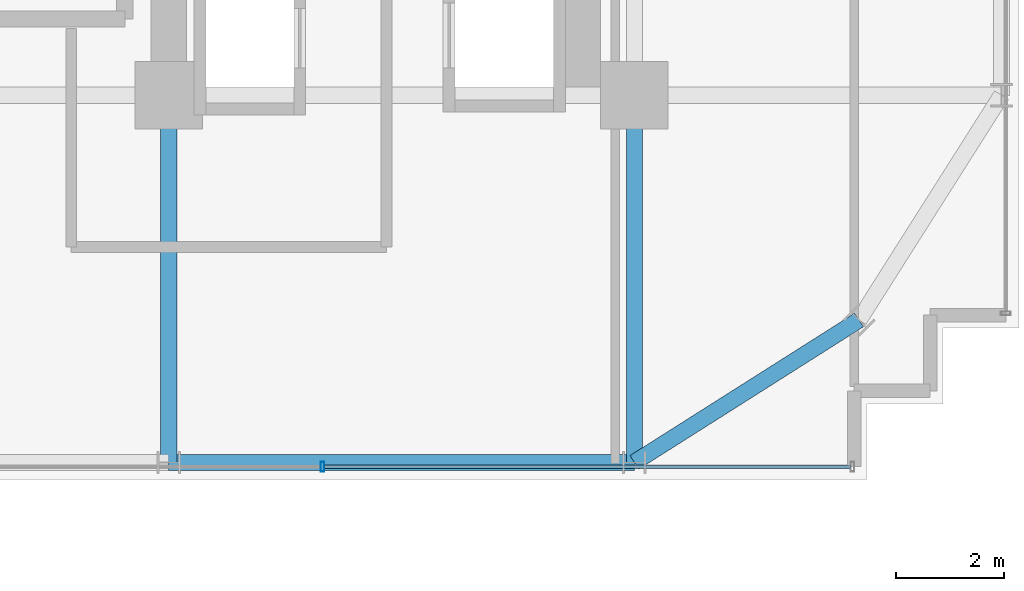
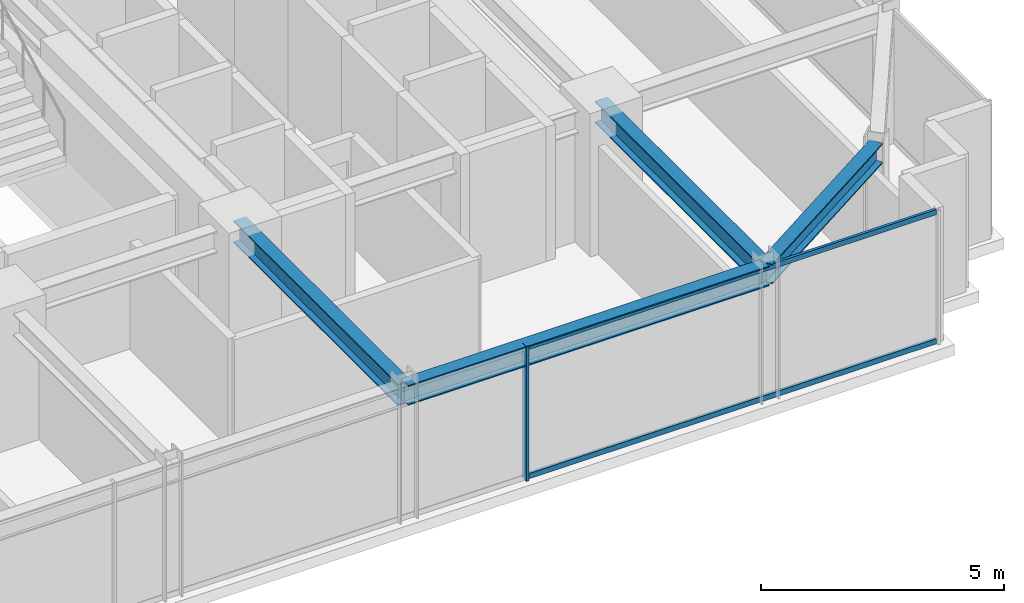
# One storey, part 11 of 32: 4 beams, 3 members, 1 element without a shape of its own.
"""IFC4 building model written with IfcOpenShell, lengths in metres."""

from ifc_helpers import new_model, si_unit, direction, frame, origin, origin_2d, place, context, subcontext, project, spatial, hollow_rectangle, i_section, extrude, source, transform, mapped, material, material_profile, profile_set, type_object, element, aggregate, save


model = new_model("IFC4")

# Units and contexts
model_context = context("Model", 3, precision=1e-05, world=origin(), true_north=direction((0.0, 1.0)))
body_context = subcontext(model_context, "Body", "Model", "MODEL_VIEW")
ifc_project = project(units=[si_unit("LENGTHUNIT", "METRE"), si_unit("AREAUNIT", "SQUARE_METRE"), si_unit("VOLUMEUNIT", "CUBIC_METRE"), si_unit("PLANEANGLEUNIT", "RADIAN"), si_unit("MASSUNIT", "GRAM", prefix="KILO")], contexts=[model_context])

# Site, building, storey
site_placement = place(None, origin())
site = spatial("IfcSite", under=ifc_project, at=site_placement, CompositionType="ELEMENT")
building_placement = place(site_placement, origin())
building = spatial("IfcBuilding", under=site, at=building_placement, Name="Nahalor Promenade Grand Hotel", CompositionType="ELEMENT")
storey_placement = place(building_placement, frame((0.0, 0.0, 110.199951171875)))
storey = spatial("IfcBuildingStorey", under=building, at=storey_placement, Name="L27", CompositionType="ELEMENT", Elevation=110.199951171875)

# Beams
ifc_material_1 = material(Name="Steel S355JR", Category="steel")
ifc_material_profile_1 = material_profile(ifc_material_1, i_section(OverallWidth=0.3, OverallDepth=0.5, WebThickness=0.0145, FlangeThickness=0.028, at=origin_2d()), Name="HEB 500")
ifc_profile_set_1 = profile_set([ifc_material_profile_1], Name="Steel S355JR")
beam_type_1 = type_object("IfcBeamType", Name="Beam-Spandrel-HEB500", PredefinedType="SPANDREL", material=ifc_profile_set_1)
shared_shape_1 = source(origin(), body_context, "Body", "SweptSolid", [
    extrude(i_section(OverallWidth=0.3, OverallDepth=0.5, WebThickness=0.0145, FlangeThickness=0.028, at=origin_2d()), origin(), (0.0, 0.0, 1.0), 8.60009765625),
])
beam_1_placement = place(storey_placement, frame((8.39990234375, -23.780029296875, 3.130126953125), z_axis=(1.0, 0.0, 0.0), x_axis=(0.0, 1.0, 0.0)))
element("IfcBeam", 1, at=beam_1_placement, inside=storey, type_object=beam_type_1, Name="BM-L27-SP-S-4", PredefinedType="SPANDREL", context=body_context, shape_type="MappedRepresentation", body=[
    mapped(shared_shape_1, transform((0.0, 0.0, 0.0), scale=1.0)),
])
shared_shape_2 = source(origin(), body_context, "Body", "SweptSolid", [
    extrude(i_section(OverallWidth=0.3, OverallDepth=0.5, WebThickness=0.0145, FlangeThickness=0.028, at=origin_2d()), origin(), (0.0, 0.0, 1.0), 4.9130859375),
])
beam_2_placement = place(storey_placement, frame((17.0, -23.780029296875, 3.130126953125), z_axis=(0.844648325505, 0.535321591403, 0.0), x_axis=(-0.535321591403, 0.844648325505, 0.0)))
element("IfcBeam", 2, at=beam_2_placement, inside=storey, type_object=beam_type_1, Name="BM-L27-SPC-SE-1", PredefinedType="SPANDREL", context=body_context, shape_type="MappedRepresentation", body=[
    mapped(shared_shape_2, transform((0.0, 0.0, 0.0), scale=1.0)),
])
ifc_material_profile_2 = material_profile(ifc_material_1, i_section(OverallWidth=0.3, OverallDepth=0.55, WebThickness=0.015, FlangeThickness=0.029, at=origin_2d()), Name="HEB 550")
ifc_profile_set_2 = profile_set([ifc_material_profile_2], Name="Steel S355JR")
beam_type_2 = type_object("IfcBeamType", Name="Beam-Girder-HEB550", PredefinedType="BEAM", material=ifc_profile_set_2)
shared_shape_3 = source(origin(), body_context, "Body", "SweptSolid", [
    extrude(i_section(OverallWidth=0.3, OverallDepth=0.55, WebThickness=0.015, FlangeThickness=0.029, at=origin_2d()), origin(), (0.0, 0.0, 1.0), 6.780029296875),
])
for number, where, z_axis, x_axis, name in (
    (3, (8.39990234375, -23.780029296875, 3.10498046875), (0.0, 1.0, 0.0), (-1.0, 0.0, 0.0), "BM-L27-GY-4-0"),
    (4, (17.0, -23.780029296875, 3.10498046875), (0.0, 1.0, 0.0), (-1.0, 0.0, 0.0), "BM-L27-GY-5-0"),
):
    element("IfcBeam", number, at=place(storey_placement, frame(where, z_axis=z_axis, x_axis=x_axis)), inside=storey, type_object=beam_type_2, Name=name, PredefinedType="BEAM", context=body_context, shape_type="MappedRepresentation", body=[
        mapped(shared_shape_3, transform((0.0, 0.0, 0.0), scale=1.0)),
    ])

# Curtain wall, members
ifc_material_2 = material(Name="Anodised Bronze Aluminium EN AW-6063 T6", Category="aluminium")
curtain_wall_type = type_object("IfcCurtainWallType", Name="CW2 Typical Hotel Flush Bronze Unitised Curtain Wall", PredefinedType="USERDEFINED", material=ifc_material_2)
curtain_wall_placement = place(storey_placement, origin())
curtain_wall = element("IfcCurtainWall", 5, at=curtain_wall_placement, inside=storey, type_object=curtain_wall_type, Name="L27 Curtain Wall CW-L27-S-3", ObjectType="UNITISED_CURTAIN_WALL", PredefinedType="USERDEFINED")
ifc_material_profile_3 = material_profile(ifc_material_2, hollow_rectangle(XDim=0.065, YDim=0.13, WallThickness=0.004, at=origin_2d()), Name="CWT 65x130x4")
ifc_profile_set_3 = profile_set([ifc_material_profile_3], Name="Anodised Bronze Aluminium EN AW-6063 T6")
member_type_1 = type_object("IfcMemberType", Name="CWT2 Typical Bronze Transom 65x130", PredefinedType="USERDEFINED", material=ifc_profile_set_3)
shared_shape_4 = source(origin(), body_context, "Body", "SweptSolid", [
    extrude(hollow_rectangle(XDim=0.065, YDim=0.13, WallThickness=0.004, at=origin_2d()), origin(), (0.0, 0.0, 1.0), 9.72265625),
])
member_1_placement = place(storey_placement, frame((11.2724609375, -23.860107421875, 0.06494140625), z_axis=(1.0, 0.0, 0.0), x_axis=(0.0, 1.0, 0.0)))
member_1 = element("IfcMember", 6, at=member_1_placement, type_object=member_type_1, Name="CW-L27-S-3 Transom 2-0", ObjectType="TRANSOM", PredefinedType="USERDEFINED", context=body_context, shape_type="MappedRepresentation", body=[
    mapped(shared_shape_4, transform((0.0, 0.0, 0.0), scale=1.0)),
])
member_2_placement = place(storey_placement, frame((11.2724609375, -23.860107421875, 3.31494140625), z_axis=(1.0, 0.0, 0.0), x_axis=(0.0, 1.0, 0.0)))
member_2 = element("IfcMember", 7, at=member_2_placement, type_object=member_type_1, Name="CW-L27-S-3 Transom 2-1", ObjectType="TRANSOM", PredefinedType="USERDEFINED", context=body_context, shape_type="MappedRepresentation", body=[
    mapped(shared_shape_4, transform((0.0, 0.0, 0.0), scale=1.0)),
])
ifc_material_profile_4 = material_profile(ifc_material_2, hollow_rectangle(XDim=0.065, YDim=0.18, WallThickness=0.004, at=origin_2d()), Name="CWM 65x180x4")
ifc_profile_set_4 = profile_set([ifc_material_profile_4], Name="Anodised Bronze Aluminium EN AW-6063 T6")
member_type_2 = type_object("IfcMemberType", Name="CWM2 Typical Bronze Mullion 65x180", PredefinedType="MULLION", material=ifc_profile_set_4)
shared_shape_5 = source(origin(), body_context, "Body", "SweptSolid", [
    extrude(hollow_rectangle(XDim=0.065, YDim=0.18, WallThickness=0.004, at=origin_2d()), origin(), (0.0, 0.0, 1.0), 3.380126953125),
])
member_3_placement = place(storey_placement, frame((11.239990234375, -23.860107421875, 0.0), z_axis=(0.0, 0.0, 1.0), x_axis=(1.0, 0.0, 0.0)))
member_3 = element("IfcMember", 8, at=member_3_placement, type_object=member_type_2, Name="CW-L27-S-3 Mullion 2", PredefinedType="MULLION", context=body_context, shape_type="MappedRepresentation", body=[
    mapped(shared_shape_5, transform((0.0, 0.0, 0.0), scale=1.0)),
])
aggregate(curtain_wall, [member_3, member_1, member_2])

save(model, "model.ifc")
